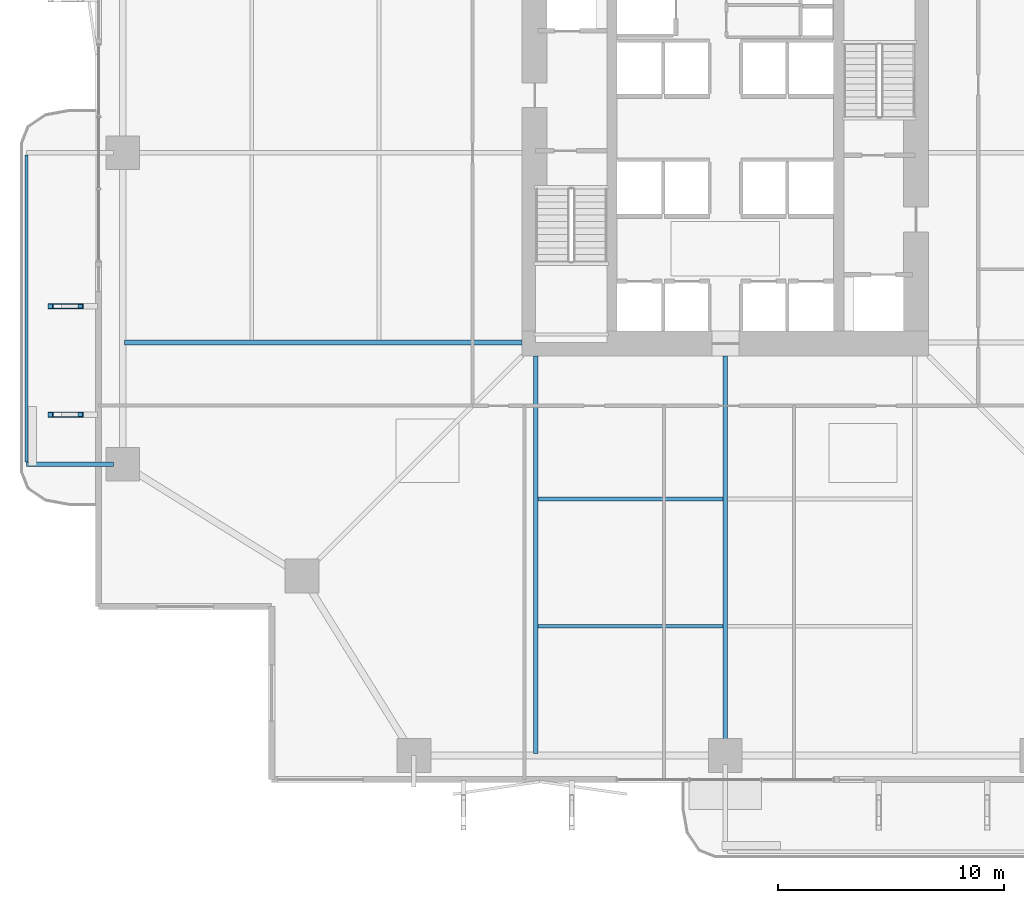
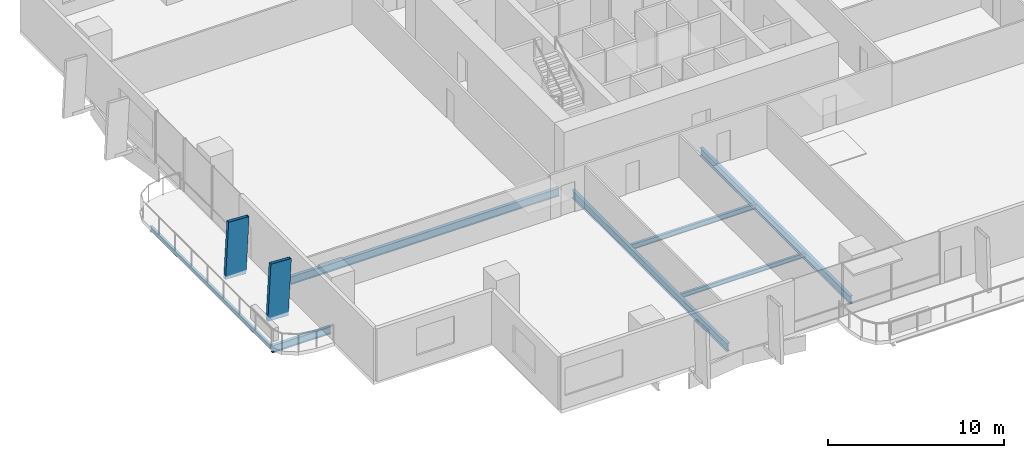
# One storey, part 3 of 24: 7 beams, 2 members.
"""IFC4 building model written with IfcOpenShell, lengths in metres."""

from ifc_helpers import new_model, si_unit, direction, frame, origin, origin_2d, place, context, subcontext, project, spatial, hollow_rectangle, i_section, extrude, material, material_profile, profile_set, type_object, element, save


model = new_model("IFC4")

# Units and contexts
model_context = context("Model", 3, precision=1e-05, world=origin(), true_north=direction((0.0, 1.0)))
body_context = subcontext(model_context, "Body", "Model", "MODEL_VIEW")
ifc_project = project(units=[si_unit("LENGTHUNIT", "METRE"), si_unit("AREAUNIT", "SQUARE_METRE"), si_unit("VOLUMEUNIT", "CUBIC_METRE"), si_unit("PLANEANGLEUNIT", "RADIAN"), si_unit("MASSUNIT", "GRAM", prefix="KILO")], contexts=[model_context])

# Site, building, storey
site_placement = place(None, origin())
site = spatial("IfcSite", under=ifc_project, at=site_placement, CompositionType="ELEMENT")
building_placement = place(site_placement, origin())
building = spatial("IfcBuilding", under=site, at=building_placement, Name="Belovzor Exchange Tower", CompositionType="ELEMENT")
storey_placement = place(building_placement, frame((0.0, 0.0, 69.0)))
storey = spatial("IfcBuildingStorey", under=building, at=storey_placement, Name="L16", CompositionType="ELEMENT", Elevation=69.0)

# Members
ifc_material_1 = material(Name="Extruded Architectural Terracotta on Steel S355 Carrier", Category="masonry")
ifc_material_profile_1 = material_profile(ifc_material_1, hollow_rectangle(XDim=0.219970703125, YDim=1.35009765625, WallThickness=0.013916015625, at=origin_2d()))
ifc_profile_set_1 = profile_set([ifc_material_profile_1], Name="Extruded Architectural Terracotta on Steel S355 Carrier")
member_type = type_object("IfcMemberType", Name="Base Arc Sweeping Terracotta Pylon Fin 1450", PredefinedType="USERDEFINED", material=ifc_profile_set_1)
for number, where, z_axis, x_axis, name in (
    (1, (-0.531982421875, 17.199951171875, -0.25), (0.052512896371, 0.0, 0.998620245997), (0.0, 1.0, 0.0), "FIN-TC145 Terracotta Facade Fin L16 W1"),
    (2, (-0.531982421875, 22.0, -0.25), (0.052512896371, 0.0, 0.998620245997), (0.0, 1.0, 0.0), "FIN-TC145 Terracotta Facade Fin L16 W2"),
):
    element("IfcMember", number, at=place(storey_placement, frame(where, z_axis=z_axis, x_axis=x_axis)), inside=storey, type_object=member_type, Name=name, ObjectType="FIN", PredefinedType="USERDEFINED", context=body_context, shape_type="SweptSolid", body=[
        extrude(hollow_rectangle(XDim=0.219970703125, YDim=1.35009765625, WallThickness=0.013916015625, at=origin_2d()), origin(), (0.0, 0.0, 1.0), 3.9052734375),
    ])

# Beams
ifc_material_2 = material(Name="Steel S355", Category="steel")
ifc_material_profile_2 = material_profile(ifc_material_2, i_section(OverallWidth=0.199951171875, OverallDepth=0.5, WebThickness=0.01025390625, FlangeThickness=0.01611328125, at=origin_2d()))
ifc_profile_set_2 = profile_set([ifc_material_profile_2], Name="Steel S355")
beam_type_1 = type_object("IfcBeamType", Name="Planted Balcony Cantilever Beam IPE 500", PredefinedType="BEAM", material=ifc_profile_set_2)
beam_1_placement = place(storey_placement, frame((1.68798828125, 15.0, -0.5), z_axis=(-1.0, 0.0, 0.0), x_axis=(0.0, -1.0, 0.0)))
element("IfcBeam", 3, at=beam_1_placement, inside=storey, type_object=beam_type_1, Name="BC-500 Planted Balcony Cantilever Beam IPE 500", PredefinedType="BEAM", context=body_context, shape_type="SweptSolid", body=[
    extrude(i_section(OverallWidth=0.199951171875, OverallDepth=0.5, WebThickness=0.01025390625, FlangeThickness=0.01611328125, at=origin_2d()), origin(), (0.0, 0.0, 1.0), 3.85009765625),
])
ifc_material_3 = material(Name="Steel S355", Category="steel")
ifc_material_profile_3 = material_profile(ifc_material_3, i_section(OverallWidth=0.14990234375, OverallDepth=0.300048828125, WebThickness=0.007080078125, FlangeThickness=0.0107421875, at=origin_2d()))
ifc_profile_set_3 = profile_set([ifc_material_profile_3], Name="Steel S355")
beam_type_2 = type_object("IfcBeamType", Name="Planted Balcony Fascia Edge Beam IPE 300", PredefinedType="BEAM", material=ifc_profile_set_3)
beam_2_placement = place(storey_placement, frame((-2.162109375, 28.699951171875, -0.39990234375), z_axis=(0.0, -1.0, 0.0), x_axis=(1.0, 0.0, 0.0)))
element("IfcBeam", 4, at=beam_2_placement, inside=storey, type_object=beam_type_2, Name="BC-300 Planted Balcony Fascia Edge Beam IPE 300", PredefinedType="BEAM", context=body_context, shape_type="SweptSolid", body=[
    extrude(i_section(OverallWidth=0.14990234375, OverallDepth=0.300048828125, WebThickness=0.007080078125, FlangeThickness=0.0107421875, at=origin_2d()), origin(), (0.0, 0.0, 1.0), 13.599853515625),
])
ifc_material_4 = material(Name="Steel S355", Category="steel")
ifc_material_profile_4 = material_profile(ifc_material_4, i_section(OverallWidth=0.169921875, OverallDepth=0.360107421875, WebThickness=0.008056640625, FlangeThickness=0.0126953125, at=origin_2d()))
ifc_profile_set_4 = profile_set([ifc_material_profile_4], Name="Steel S355")
beam_type_3 = type_object("IfcBeamType", Name="Secondary Infill Floor Joist IPE 360", PredefinedType="BEAM", material=ifc_profile_set_4)
beam_3_placement = place(storey_placement, frame((20.5048828125, 13.455078125, -0.429931640625), z_axis=(1.0, 0.0, 0.0), x_axis=(0.0, 1.0, 0.0)))
element("IfcBeam", 5, at=beam_3_placement, inside=storey, type_object=beam_type_3, Name="FJ-360 Secondary Infill Floor Joist IPE 360", PredefinedType="BEAM", context=body_context, shape_type="SweptSolid", body=[
    extrude(i_section(OverallWidth=0.169921875, OverallDepth=0.360107421875, WebThickness=0.008056640625, FlangeThickness=0.0126953125, at=origin_2d()), origin(), (0.0, 0.0, 1.0), 8.190185546875),
])
ifc_material_5 = material(Name="Steel S355", Category="steel")
ifc_material_profile_5 = material_profile(ifc_material_5, i_section(OverallWidth=0.14990234375, OverallDepth=0.300048828125, WebThickness=0.007080078125, FlangeThickness=0.0107421875, at=origin_2d()))
ifc_profile_set_5 = profile_set([ifc_material_profile_5], Name="Steel S355")
beam_type_4 = type_object("IfcBeamType", Name="Secondary Trim Floor Joist IPE 300", PredefinedType="BEAM", material=ifc_profile_set_5)
beam_4_placement = place(storey_placement, frame((20.5048828125, 7.81494140625, -0.39990234375), z_axis=(1.0, 0.0, 0.0), x_axis=(0.0, 1.0, 0.0)))
element("IfcBeam", 6, at=beam_4_placement, inside=storey, type_object=beam_type_4, Name="FJ-300 Secondary Trim Floor Joist IPE 300", PredefinedType="BEAM", context=body_context, shape_type="SweptSolid", body=[
    extrude(i_section(OverallWidth=0.14990234375, OverallDepth=0.300048828125, WebThickness=0.007080078125, FlangeThickness=0.0107421875, at=origin_2d()), origin(), (0.0, 0.0, 1.0), 8.190185546875),
])
ifc_material_6 = material(Name="Steel S355", Category="steel")
ifc_material_profile_6 = material_profile(ifc_material_6, i_section(OverallWidth=0.2099609375, OverallDepth=0.550048828125, WebThickness=0.010986328125, FlangeThickness=0.01708984375, at=origin_2d()))
ifc_profile_set_6 = profile_set([ifc_material_profile_6], Name="Steel S355")
beam_type_5 = type_object("IfcBeamType", Name="Zone 1 Radial Composite Floor Beam IPE 550", PredefinedType="BEAM", material=ifc_profile_set_6)
beam_5_placement = place(storey_placement, frame((20.39990234375, 19.800048828125, -0.52490234375), z_axis=(0.0, -1.0, 0.0), x_axis=(1.0, 0.0, 0.0)))
element("IfcBeam", 7, at=beam_5_placement, inside=storey, type_object=beam_type_5, Name="FB-550 Zone 1 Radial Composite Floor Beam IPE 550", PredefinedType="BEAM", context=body_context, shape_type="SweptSolid", body=[
    extrude(i_section(OverallWidth=0.2099609375, OverallDepth=0.550048828125, WebThickness=0.010986328125, FlangeThickness=0.01708984375, at=origin_2d()), origin(), (0.0, 0.0, 1.0), 17.625),
])
beam_6_placement = place(storey_placement, frame((28.800048828125, 19.800048828125, -0.52490234375), z_axis=(0.0, -1.0, 0.0), x_axis=(1.0, 0.0, 0.0)))
element("IfcBeam", 8, at=beam_6_placement, inside=storey, type_object=beam_type_5, Name="FB-550 Zone 1 Radial Composite Floor Beam IPE 550", PredefinedType="BEAM", context=body_context, shape_type="SweptSolid", body=[
    extrude(i_section(OverallWidth=0.2099609375, OverallDepth=0.550048828125, WebThickness=0.010986328125, FlangeThickness=0.01708984375, at=origin_2d()), origin(), (0.0, 0.0, 1.0), 17.0400390625),
])
beam_7_placement = place(storey_placement, frame((19.800048828125, 20.39990234375, -0.52490234375), z_axis=(-1.0, 0.0, 0.0), x_axis=(0.0, -1.0, 0.0)))
element("IfcBeam", 9, at=beam_7_placement, inside=storey, type_object=beam_type_5, Name="FB-550 Zone 1 Radial Composite Floor Beam IPE 550", PredefinedType="BEAM", context=body_context, shape_type="SweptSolid", body=[
    extrude(i_section(OverallWidth=0.2099609375, OverallDepth=0.550048828125, WebThickness=0.010986328125, FlangeThickness=0.01708984375, at=origin_2d()), origin(), (0.0, 0.0, 1.0), 17.625),
])

save(model, "model.ifc")
